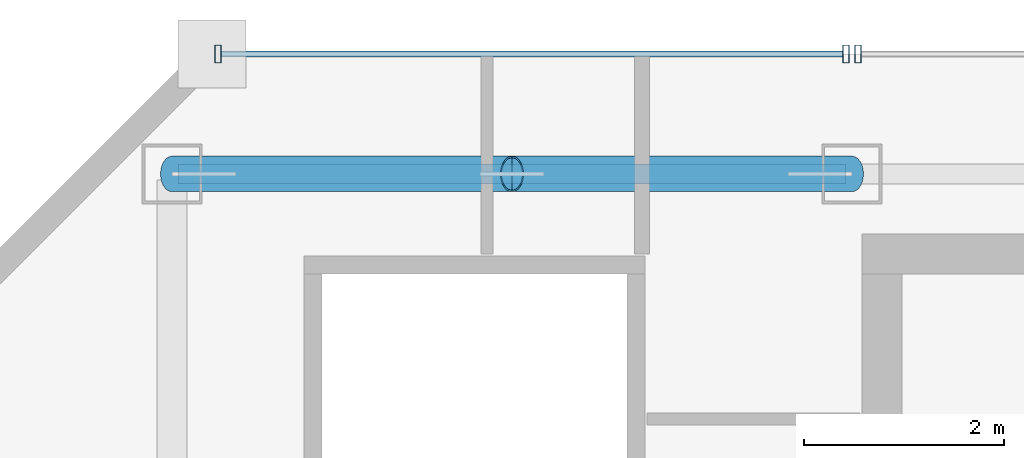
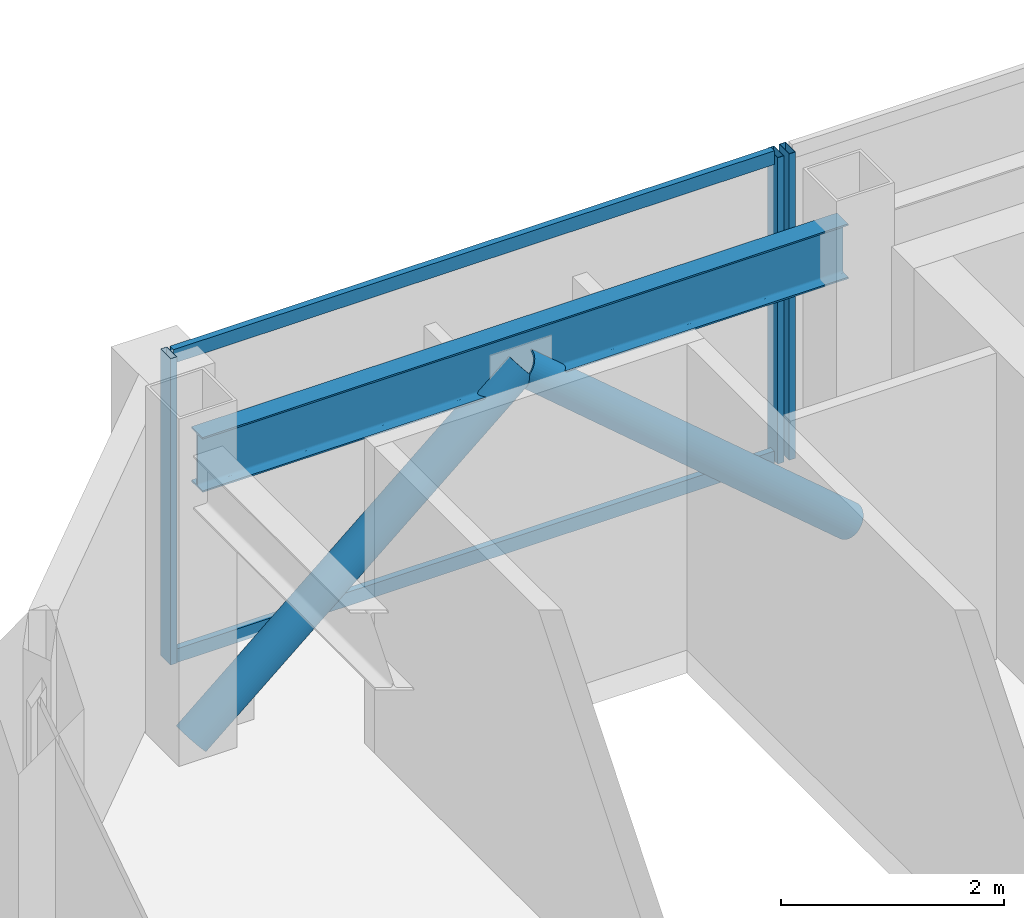
# One storey, part 18 of 30: 7 members, 1 beam, 2 elements without a shape of their own.
"""IFC4 building model written with IfcOpenShell, lengths in metres."""

from ifc_helpers import new_model, si_unit, direction, frame, origin, origin_2d, place, context, subcontext, project, spatial, hollow_rectangle, hollow_circle, i_section, extrude, material, material_profile, profile_set, type_object, element, aggregate, save


model = new_model("IFC4")

# Units and contexts
model_context = context("Model", 3, precision=1e-05, world=origin(), true_north=direction((0.0, 1.0)))
body_context = subcontext(model_context, "Body", "Model", "MODEL_VIEW")
ifc_project = project(units=[si_unit("LENGTHUNIT", "METRE"), si_unit("AREAUNIT", "SQUARE_METRE"), si_unit("VOLUMEUNIT", "CUBIC_METRE"), si_unit("PLANEANGLEUNIT", "RADIAN"), si_unit("MASSUNIT", "GRAM", prefix="KILO")], contexts=[model_context])

# Site, building, storey
site_placement = place(None, origin())
site = spatial("IfcSite", under=ifc_project, at=site_placement, CompositionType="ELEMENT")
building_placement = place(site_placement, origin())
building = spatial("IfcBuilding", under=site, at=building_placement, Name="Saevonmaru Cultural Tower", CompositionType="ELEMENT")
storey_placement = place(building_placement, frame((0.0, 0.0, 272.39990234375)))
storey = spatial("IfcBuildingStorey", under=building, at=storey_placement, Name="L64", CompositionType="ELEMENT", Elevation=272.39990234375)

# Beam
ifc_material_1 = material(Name="Steel SM355", Category="steel")
ifc_material_profile_1 = material_profile(ifc_material_1, i_section(OverallWidth=0.199951171875, OverallDepth=0.60009765625, WebThickness=0.010986328125, FlangeThickness=0.01708984375, FilletRadius=0.02197265625, at=origin_2d()), Name="H-600x200x11x17")
ifc_profile_set_1 = profile_set([ifc_material_profile_1], Name="Steel SM355")
beam_type = type_object("IfcBeamType", Name="BM-SP-H600", PredefinedType="SPANDREL", material=ifc_profile_set_1)
beam_placement = place(storey_placement, frame((6.860107421875, 54.800048828125, 3.050048828125), z_axis=(1.0, 0.0, 0.0), x_axis=(0.0, 1.0, 0.0)))
element("IfcBeam", 1, at=beam_placement, inside=storey, type_object=beam_type, Name="L64 North Spine Girder 1", PredefinedType="SPANDREL", context=body_context, shape_type="SweptSolid", body=[
    extrude(i_section(OverallWidth=0.199951171875, OverallDepth=0.60009765625, WebThickness=0.010986328125, FlangeThickness=0.01708984375, FilletRadius=0.02197265625, at=origin_2d()), origin(), (0.0, 0.0, 1.0), 6.679931640625),
])

# Members
ifc_material_profile_2 = material_profile(ifc_material_1, hollow_circle(Radius=0.177734375, WallThickness=0.01611328125, at=origin_2d()), Name="CHS-355.6x16")
ifc_profile_set_2 = profile_set([ifc_material_profile_2], Name="Steel SM355")
member_type_1 = type_object("IfcMemberType", Name="MB-PBR-CHS356", PredefinedType="BRACE", material=ifc_profile_set_2)
member_1_placement = place(storey_placement, frame((6.800048828125, 54.800048828125, 0.02001953125), z_axis=(0.760808563937, 0.0, 0.648976370171), x_axis=(0.0, 1.0, 0.0)))
element("IfcMember", 2, at=member_1_placement, inside=storey, type_object=member_type_1, Name="L64 Perimeter Braced-Tube Diagonal WN1", PredefinedType="BRACE", context=body_context, shape_type="SweptSolid", body=[
    extrude(hollow_circle(Radius=0.177734375, WallThickness=0.01611328125, at=origin_2d()), origin(), (0.0, 0.0, 1.0), 4.46875),
])
member_2_placement = place(storey_placement, frame((13.60009765625, 54.800048828125, 0.02001953125), z_axis=(-0.76083157198, 0.0, 0.648949396392), x_axis=(0.0, -1.0, 0.0)))
element("IfcMember", 3, at=member_2_placement, inside=storey, type_object=member_type_1, Name="L64 Perimeter Braced-Tube Diagonal WN2", PredefinedType="BRACE", context=body_context, shape_type="SweptSolid", body=[
    extrude(hollow_circle(Radius=0.177734375, WallThickness=0.01611328125, at=origin_2d()), origin(), (0.0, 0.0, 1.0), 4.468994140625),
])

# Curtain wall, member
ifc_material_2 = material(Name="Satin Bronze Anodised Aluminium", Category="aluminium")
curtain_wall_type = type_object("IfcCurtainWallType", Name="CW-TYP-B", PredefinedType="NOTDEFINED", material=ifc_material_2)
curtain_wall_1_placement = place(storey_placement, origin())
curtain_wall_1 = element("IfcCurtainWall", 4, at=curtain_wall_1_placement, inside=storey, type_object=curtain_wall_type, Name="L64 North Spine Unitised Curtain Wall E10B", PredefinedType="NOTDEFINED")
ifc_material_profile_3 = material_profile(ifc_material_2, hollow_rectangle(XDim=0.06494140625, YDim=0.179931640625, WallThickness=0.00390625, at=origin_2d()), Name="ALU-MULL-180x65x4")
ifc_profile_set_3 = profile_set([ifc_material_profile_3], Name="Satin Bronze Anodised Aluminium")
member_type_2 = type_object("IfcMemberType", Name="ML-CW-180x65", PredefinedType="MULLION", material=ifc_profile_set_3)
member_3_placement = place(storey_placement, frame((13.659912109375, 56.0, 0.0), z_axis=(0.0, 0.0, 1.0), x_axis=(-1.0, 0.0, 0.0)))
member_3 = element("IfcMember", 5, at=member_3_placement, type_object=member_type_2, Name="CW-TW-L64-E10B mullion 4", PredefinedType="MULLION", context=body_context, shape_type="SweptSolid", body=[
    extrude(hollow_rectangle(XDim=0.06494140625, YDim=0.179931640625, WallThickness=0.00390625, at=origin_2d()), origin(), (0.0, 0.0, 1.0), 3.35009765625),
])
aggregate(curtain_wall_1, [member_3])

# Curtain wall, members
curtain_wall_2_placement = place(storey_placement, origin())
curtain_wall_2 = element("IfcCurtainWall", 6, at=curtain_wall_2_placement, inside=storey, type_object=curtain_wall_type, Name="L64 West Braced Bay Spandrel Curtain Wall E10C", PredefinedType="NOTDEFINED")
member_4_placement = place(storey_placement, frame((13.5400390625, 56.0, 0.0), z_axis=(0.0, 0.0, 1.0), x_axis=(-1.0, 0.0, 0.0)))
member_4 = element("IfcMember", 7, at=member_4_placement, type_object=member_type_2, Name="CW-TW-L64-E10C mullion 1", PredefinedType="MULLION", context=body_context, shape_type="SweptSolid", body=[
    extrude(hollow_rectangle(XDim=0.06494140625, YDim=0.179931640625, WallThickness=0.00390625, at=origin_2d()), origin(), (0.0, 0.0, 1.0), 3.35009765625),
])
member_5_placement = place(storey_placement, frame((7.260009765625, 56.0, 0.0), z_axis=(0.0, 0.0, 1.0), x_axis=(-1.0, 0.0, 0.0)))
member_5 = element("IfcMember", 8, at=member_5_placement, type_object=member_type_2, Name="CW-TW-L64-E10C mullion 2", PredefinedType="MULLION", context=body_context, shape_type="SweptSolid", body=[
    extrude(hollow_rectangle(XDim=0.06494140625, YDim=0.179931640625, WallThickness=0.00390625, at=origin_2d()), origin(), (0.0, 0.0, 1.0), 3.35009765625),
])
ifc_material_profile_4 = material_profile(ifc_material_2, hollow_rectangle(XDim=0.06494140625, YDim=0.14990234375, WallThickness=0.00390625, at=origin_2d()), Name="ALU-TRAN-150x65x4")
ifc_profile_set_4 = profile_set([ifc_material_profile_4], Name="Satin Bronze Anodised Aluminium")
member_type_3 = type_object("IfcMemberType", Name="TR-CW-150x65", PredefinedType="USERDEFINED", material=ifc_profile_set_4)
member_6_placement = place(storey_placement, frame((13.507568359375, 56.0, 0.03271484375), z_axis=(-1.0, 0.0, 0.0), x_axis=(0.0, -1.0, 0.0)))
member_6 = element("IfcMember", 9, at=member_6_placement, type_object=member_type_3, Name="CW-TW-L64-E10C transom 1.1", ObjectType="TRANSOM", PredefinedType="USERDEFINED", context=body_context, shape_type="SweptSolid", body=[
    extrude(hollow_rectangle(XDim=0.06494140625, YDim=0.14990234375, WallThickness=0.00390625, at=origin_2d()), origin(), (0.0, 0.0, 1.0), 6.215087890625),
])
member_7_placement = place(storey_placement, frame((13.507568359375, 56.0, 3.317626953125), z_axis=(-1.0, 0.0, 0.0), x_axis=(0.0, -1.0, 0.0)))
member_7 = element("IfcMember", 10, at=member_7_placement, type_object=member_type_3, Name="CW-TW-L64-E10C transom 1.2", ObjectType="TRANSOM", PredefinedType="USERDEFINED", context=body_context, shape_type="SweptSolid", body=[
    extrude(hollow_rectangle(XDim=0.06494140625, YDim=0.14990234375, WallThickness=0.00390625, at=origin_2d()), origin(), (0.0, 0.0, 1.0), 6.215087890625),
])
aggregate(curtain_wall_2, [member_4, member_5, member_6, member_7])

save(model, "model.ifc")
